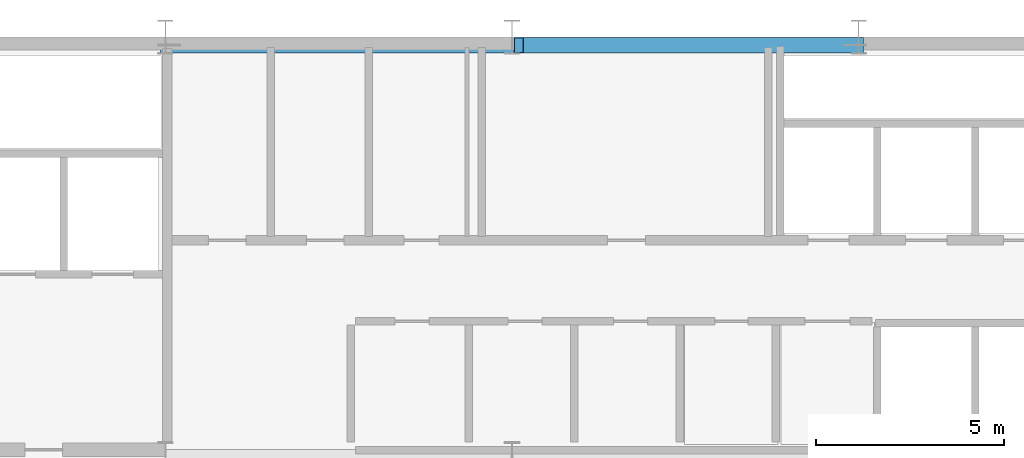
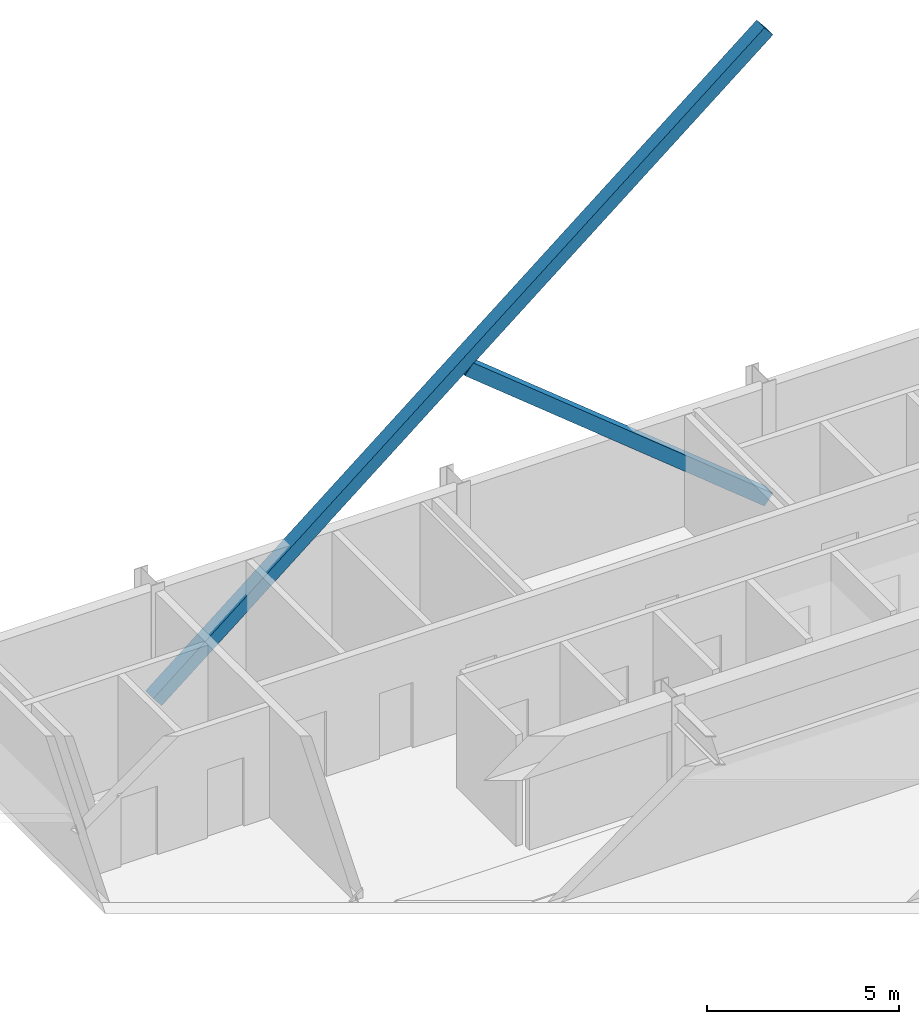
# One storey, part 22 of 31: 2 members.
"""IFC4 building model written with IfcOpenShell, lengths in metres."""

from ifc_helpers import new_model, si_unit, direction, frame, origin, origin_2d, place, context, subcontext, project, spatial, hollow_rectangle, extrude, source, transform, mapped, material, material_profile, profile_set, type_object, type_shapes, element, save


model = new_model("IFC4")

# Units and contexts
model_context = context("Model", 3, precision=1e-05, world=origin(), true_north=direction((0.0, 1.0)))
body_context = subcontext(model_context, "Body", "Model", "MODEL_VIEW")
ifc_project = project(units=[si_unit("LENGTHUNIT", "METRE"), si_unit("AREAUNIT", "SQUARE_METRE"), si_unit("VOLUMEUNIT", "CUBIC_METRE"), si_unit("PLANEANGLEUNIT", "RADIAN"), si_unit("MASSUNIT", "GRAM", prefix="KILO")], contexts=[model_context])

# Site, building, storey
site_placement = place(None, origin())
site = spatial("IfcSite", under=ifc_project, at=site_placement, CompositionType="ELEMENT")
building_placement = place(site_placement, origin())
building = spatial("IfcBuilding", under=site, at=building_placement, Name="Varnel Quay Broadcast Tower", CompositionType="ELEMENT")
storey_placement = place(building_placement, frame((0.0, 0.0, 239.39990234375)))
storey = spatial("IfcBuildingStorey", under=building, at=storey_placement, Name="L59", CompositionType="ELEMENT", Elevation=239.39990234375)

# Members
ifc_material = material(Name="Structural Steel CSA G40.21 350W", Category="steel")
ifc_material_profile = material_profile(ifc_material, hollow_rectangle(XDim=0.406005859375, YDim=0.406005859375, WallThickness=0.01611328125, at=origin_2d()), Name="HSS406X406X16")
ifc_profile_set = profile_set([ifc_material_profile], Name="Structural Steel CSA G40.21 350W")
member_type = type_object("IfcMemberType", Name="Brace_HSS406X406X16", PredefinedType="BRACE", material=ifc_profile_set)
shared_shape_1 = source(origin(), body_context, "Body", "SweptSolid", [
    extrude(hollow_rectangle(XDim=0.406005859375, YDim=0.406005859375, WallThickness=0.01611328125, at=origin_2d()), origin(), (0.0, 0.0, 1.0), 23.6826171875),
])
member_1_placement = place(storey_placement, frame((24.800048828125, 46.580078125, 0.02001953125), z_axis=(0.776935088088, 0.0, 0.629580708804), x_axis=(0.0, 1.0, 0.0)))
element("IfcMember", 1, at=member_1_placement, inside=storey, type_object=member_type, Name="Zone 4 Mega-Brace N-CT3 Continuous Diag A", PredefinedType="BRACE", context=body_context, shape_type="MappedRepresentation", body=[
    mapped(shared_shape_1, transform((0.0, 0.0, 0.0), x_axis=(1.0, 0.0, 0.0), y_axis=(0.0, 1.0, 0.0), z_axis=(0.0, 0.0, 1.0), scale=1.0)),
])
shared_shape_2 = source(origin(), body_context, "Body", "SweptSolid", [
    extrude(hollow_rectangle(XDim=0.406005859375, YDim=0.406005859375, WallThickness=0.01611328125, at=origin_2d()), origin(), (0.0, 0.0, 1.0), 11.608642578125),
])
type_shapes(member_type, [shared_shape_1, shared_shape_2])
member_2_placement = place(storey_placement, frame((43.199951171875, 46.580078125, 0.02001953125), z_axis=(-0.776938680611, 0.0, 0.629576275418), x_axis=(0.0, -1.0, 0.0)))
element("IfcMember", 2, at=member_2_placement, inside=storey, type_object=member_type, Name="Zone 4 Mega-Brace N-CT3 Split Diag B1", PredefinedType="BRACE", context=body_context, shape_type="MappedRepresentation", body=[
    mapped(shared_shape_2, transform((0.0, 0.0, 0.0), x_axis=(1.0, 0.0, 0.0), y_axis=(0.0, 1.0, 0.0), z_axis=(0.0, 0.0, 1.0), scale=1.0)),
])

save(model, "model.ifc")
